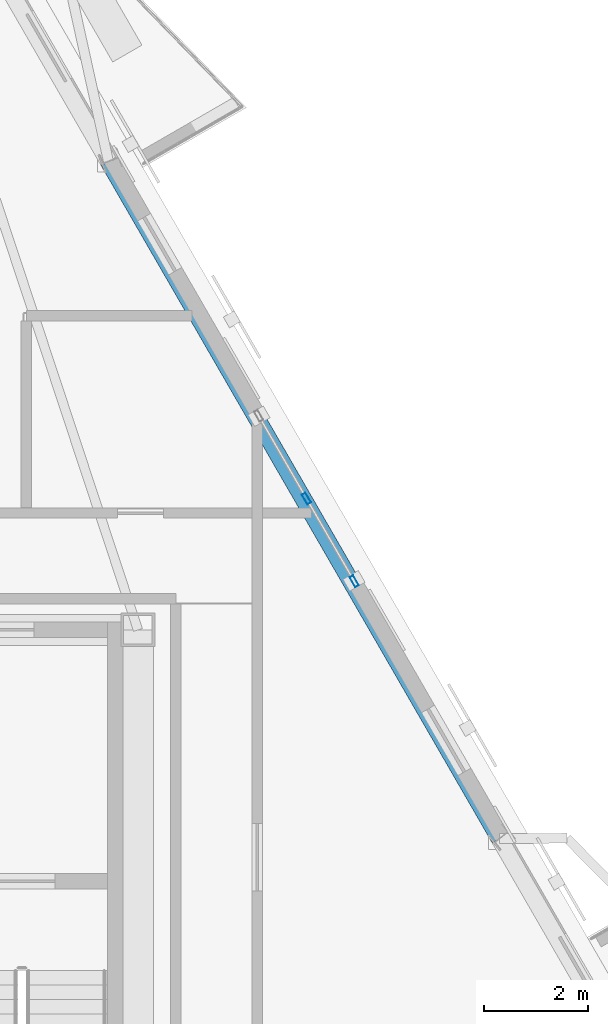
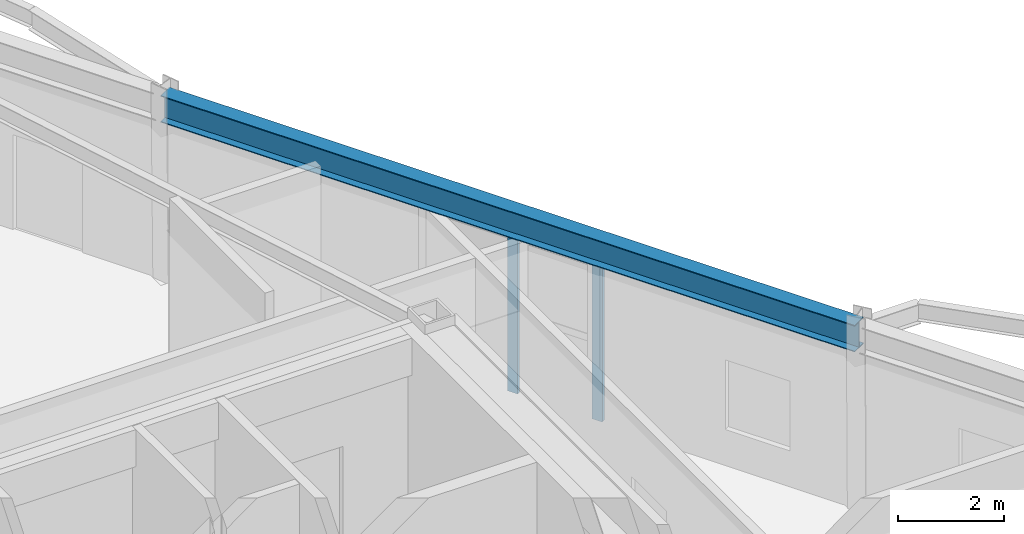
# One storey, part 8 of 16: 2 members, 1 beam, 1 element without a shape of its own.
"""IFC4 building model written with IfcOpenShell, lengths in metres."""

from ifc_helpers import new_model, si_unit, direction, frame, origin, origin_2d, place, context, subcontext, project, spatial, hollow_rectangle, i_section, extrude, material, layer, layer_set, material_profile, profile_set, type_object, element, aggregate, save


model = new_model("IFC4")

# Units and contexts
model_context = context("Model", 3, precision=1e-05, world=origin(), true_north=direction((0.0, 1.0)))
body_context = subcontext(model_context, "Body", "Model", "MODEL_VIEW")
ifc_project = project(units=[si_unit("LENGTHUNIT", "METRE"), si_unit("AREAUNIT", "SQUARE_METRE"), si_unit("VOLUMEUNIT", "CUBIC_METRE"), si_unit("PLANEANGLEUNIT", "RADIAN"), si_unit("MASSUNIT", "GRAM", prefix="KILO")], contexts=[model_context])

# Site, building, storey
site_placement = place(None, origin())
site = spatial("IfcSite", under=ifc_project, at=site_placement, CompositionType="ELEMENT")
building_placement = place(site_placement, origin())
building = spatial("IfcBuilding", under=site, at=building_placement, Name="Oramaril Tower", CompositionType="ELEMENT")
storey_placement = place(building_placement, frame((0.0, 0.0, 296.699951171875)))
storey = spatial("IfcBuildingStorey", under=building, at=storey_placement, Name="L78", CompositionType="ELEMENT", Elevation=296.699951171875)

# Beam
ifc_material_1 = material(Name="Steel ASTM A572 Gr 50", Category="steel")
ifc_material_profile_1 = material_profile(ifc_material_1, i_section(OverallWidth=0.324951171875, OverallDepth=0.612060546875, WebThickness=0.0126953125, FlangeThickness=0.01904296875, at=origin_2d()), Name="W24X104")
ifc_profile_set_1 = profile_set([ifc_material_profile_1], Name="Steel ASTM A572 Gr 50")
beam_type = type_object("IfcBeamType", Name="BT-SP5", PredefinedType="SPANDREL", material=ifc_profile_set_1)
beam_placement = place(storey_placement, frame((52.612548828125, 20.128662109375, 3.97412109375), z_axis=(-0.500000248185, 0.866025260495, 0.0), x_axis=(-0.866025260495, -0.500000248185, 0.0)))
element("IfcBeam", 1, at=beam_placement, inside=storey, type_object=beam_type, Name="L78 Perimeter Spandrel 10", PredefinedType="SPANDREL", context=body_context, shape_type="SweptSolid", body=[
    extrude(i_section(OverallWidth=0.324951171875, OverallDepth=0.612060546875, WebThickness=0.0126953125, FlangeThickness=0.01904296875, at=origin_2d()), origin(), (0.0, 0.0, 1.0), 15.06298828125),
])

# Curtain wall, members
ifc_material_2 = material(Name="Anodised Aluminium 6063-T6", Category="aluminium")
ifc_layer = layer(ifc_material_2, 0.219970703125)
ifc_layer_set = layer_set([ifc_layer], Name="CWT-SYS5")
curtain_wall_type = type_object("IfcCurtainWallType", Name="CWT-SYS5", PredefinedType="NOTDEFINED", material=ifc_layer_set)
curtain_wall_placement = place(storey_placement, origin())
curtain_wall = element("IfcCurtainWall", 2, at=curtain_wall_placement, inside=storey, type_object=curtain_wall_type, Name="L78 Unitised Curtain Wall CW-5", PredefinedType="NOTDEFINED")
ifc_material_3 = material(Name="Anodised Aluminium 6063-T6", Category="aluminium")
ifc_material_profile_2 = material_profile(ifc_material_3, hollow_rectangle(XDim=0.080078125, YDim=0.219970703125, WallThickness=0.00390625, at=origin_2d()), Name="CWM220X80")
ifc_profile_set_2 = profile_set([ifc_material_profile_2], Name="Anodised Aluminium 6063-T6")
member_type = type_object("IfcMemberType", Name="MT-CWM1", PredefinedType="MULLION", material=ifc_profile_set_2)
member_1_placement = place(storey_placement, frame((49.815673828125, 25.0859375, 0.0), z_axis=(0.0, 0.0, 1.0), x_axis=(-0.866025463091, -0.499999897278, 0.0)))
member_1 = element("IfcMember", 3, at=member_1_placement, type_object=member_type, Name="CW-5 mullion 1", PredefinedType="MULLION", context=body_context, shape_type="SweptSolid", body=[
    extrude(hollow_rectangle(XDim=0.080078125, YDim=0.219970703125, WallThickness=0.00390625, at=origin_2d()), origin(), (0.0, 0.0, 1.0), 3.657958984375),
])
member_2_placement = place(storey_placement, frame((48.895751953125, 26.679443359375, 0.0), z_axis=(0.0, 0.0, 1.0), x_axis=(-0.866025463091, -0.499999897278, 0.0)))
member_2 = element("IfcMember", 4, at=member_2_placement, type_object=member_type, Name="CW-5 mullion 2", PredefinedType="MULLION", context=body_context, shape_type="SweptSolid", body=[
    extrude(hollow_rectangle(XDim=0.080078125, YDim=0.219970703125, WallThickness=0.00390625, at=origin_2d()), origin(), (0.0, 0.0, 1.0), 3.657958984375),
])
aggregate(curtain_wall, [member_1, member_2])

save(model, "model.ifc")
